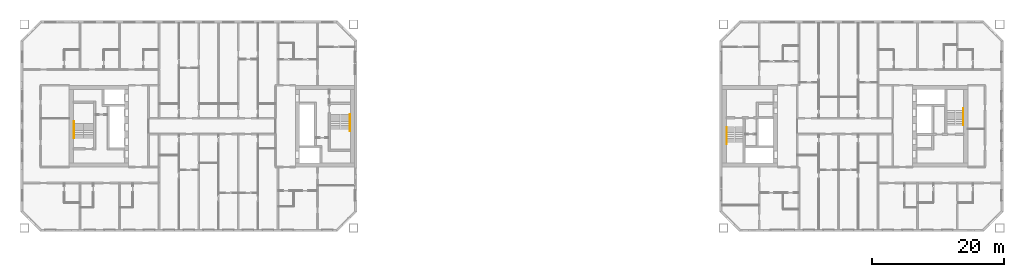
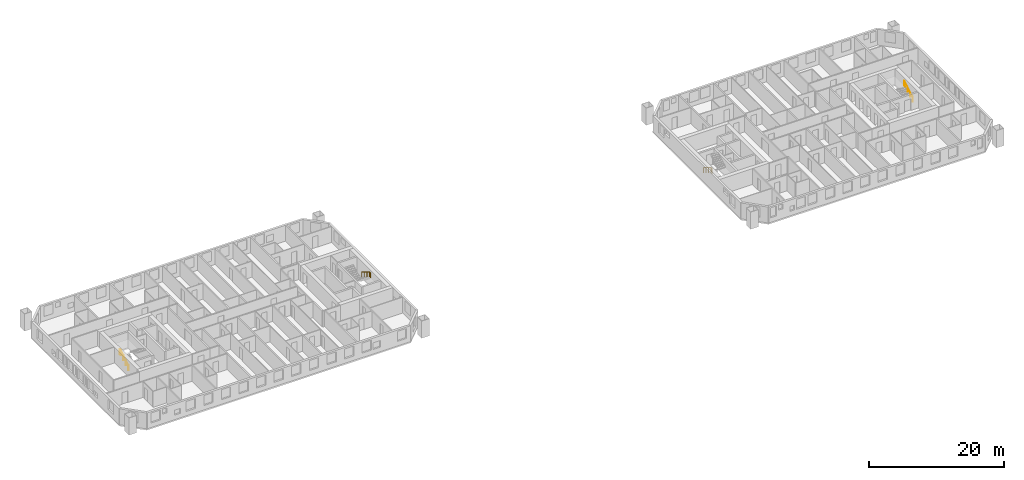
# One storey, part 17 of 17: 4 railings.
"""IFC4 building model written with IfcOpenShell, lengths in metres."""

from ifc_helpers import new_model, si_unit, direction, frame, origin, origin_2d, place, context, subcontext, project, spatial, circle, extrude, material, type_object, element, save


model = new_model("IFC4")

# Units and contexts
model_context = context("Model", 3, precision=1e-05, world=origin(), true_north=direction((0.0, 1.0)))
body_context = subcontext(model_context, "Body", "Model", "MODEL_VIEW")
ifc_project = project(units=[si_unit("LENGTHUNIT", "METRE"), si_unit("AREAUNIT", "SQUARE_METRE"), si_unit("VOLUMEUNIT", "CUBIC_METRE"), si_unit("PLANEANGLEUNIT", "RADIAN"), si_unit("MASSUNIT", "GRAM", prefix="KILO")], contexts=[model_context])

# Site, building, storey
site_placement = place(None, origin())
site = spatial("IfcSite", under=ifc_project, at=site_placement, CompositionType="ELEMENT")
building_placement = place(site_placement, origin())
building = spatial("IfcBuilding", under=site, at=building_placement, Name="Tuart Gate Housing", CompositionType="ELEMENT")
storey_placement = place(building_placement, frame((0.0, 0.0, 99.5)))
storey = spatial("IfcBuildingStorey", under=building, at=storey_placement, Name="L27", CompositionType="ELEMENT", Elevation=99.5)

# Railings
ifc_material = material(Name="Stainless steel", Category="steel")
railing_type = type_object("IfcRailingType", Name="Stair handrail 900", PredefinedType="HANDRAIL", material=ifc_material)
railing_1_placement = place(storey_placement, frame((74.929931640625, 71.800048828125, 0.172119140625)))
element("IfcRailing", 1, at=railing_1_placement, inside=storey, type_object=railing_type, Name="Stair handrail SA1.1", PredefinedType="HANDRAIL", context=body_context, shape_type="SweptSolid", body=[
    extrude(circle(Radius=0.02392578125, at=origin_2d()), frame((0.0, 0.0, 0.8759765625), z_axis=(0.0, -0.851747552033, 0.523952390591), x_axis=(1.0, 0.0, 0.0)), (0.0, 0.0, 1.0), 2.6298828125),
    extrude(circle(Radius=0.02392578125, at=origin_2d()), frame((0.0, -2.239990234375, 2.25390625), z_axis=(0.0, -1.0, 0.0), x_axis=(1.0, 0.0, 0.0)), (0.0, 0.0, 1.0), 0.300048828125),
    extrude(circle(Radius=0.02099609375, at=origin_2d()), origin(), (0.0, 0.0, 1.0), 0.851806640625),
    extrude(circle(Radius=0.02099609375, at=origin_2d()), frame((0.0, -0.74658203125, 0.459228515625)), (0.0, 0.0, 1.0), 0.851806640625),
    extrude(circle(Radius=0.02099609375, at=origin_2d()), frame((0.0, -1.493408203125, 0.918701171875)), (0.0, 0.0, 1.0), 0.851806640625),
    extrude(circle(Radius=0.02099609375, at=origin_2d()), frame((0.0, -2.239990234375, 1.3779296875)), (0.0, 0.0, 1.0), 0.851806640625),
    extrude(circle(Radius=0.02099609375, at=origin_2d()), frame((0.0, -2.5400390625, 1.3779296875)), (0.0, 0.0, 1.0), 0.851806640625),
])
railing_2_placement = place(storey_placement, frame((33.070068359375, 68.199951171875, 0.172119140625)))
element("IfcRailing", 2, at=railing_2_placement, inside=storey, type_object=railing_type, Name="Stair handrail SA2.1", PredefinedType="HANDRAIL", context=body_context, shape_type="SweptSolid", body=[
    extrude(circle(Radius=0.02392578125, at=origin_2d()), frame((0.0, 0.0, 0.8759765625), z_axis=(0.0, 0.851747552033, 0.523952390591), x_axis=(-1.0, 0.0, 0.0)), (0.0, 0.0, 1.0), 2.6298828125),
    extrude(circle(Radius=0.02392578125, at=origin_2d()), frame((0.0, 2.239990234375, 2.25390625), z_axis=(0.0, 1.0, 0.0), x_axis=(-1.0, 0.0, 0.0)), (0.0, 0.0, 1.0), 0.300048828125),
    extrude(circle(Radius=0.02099609375, at=origin_2d()), origin(), (0.0, 0.0, 1.0), 0.851806640625),
    extrude(circle(Radius=0.02099609375, at=origin_2d()), frame((0.0, 0.74658203125, 0.459228515625)), (0.0, 0.0, 1.0), 0.851806640625),
    extrude(circle(Radius=0.02099609375, at=origin_2d()), frame((0.0, 1.493408203125, 0.918701171875)), (0.0, 0.0, 1.0), 0.851806640625),
    extrude(circle(Radius=0.02099609375, at=origin_2d()), frame((0.0, 2.239990234375, 1.3779296875)), (0.0, 0.0, 1.0), 0.851806640625),
    extrude(circle(Radius=0.02099609375, at=origin_2d()), frame((0.0, 2.5400390625, 1.3779296875)), (0.0, 0.0, 1.0), 0.851806640625),
])
railing_3_placement = place(storey_placement, frame((132.070068359375, 69.85009765625, 0.172119140625)))
element("IfcRailing", 3, at=railing_3_placement, inside=storey, type_object=railing_type, Name="Stair handrail SB1.1", PredefinedType="HANDRAIL", context=body_context, shape_type="SweptSolid", body=[
    extrude(circle(Radius=0.02392578125, at=origin_2d()), frame((0.0, 0.0, 0.8759765625), z_axis=(0.0, -0.851747552033, 0.523952390591), x_axis=(1.0, 0.0, 0.0)), (0.0, 0.0, 1.0), 2.6298828125),
    extrude(circle(Radius=0.02392578125, at=origin_2d()), frame((0.0, -2.239990234375, 2.25390625), z_axis=(0.0, -1.0, 0.0), x_axis=(1.0, 0.0, 0.0)), (0.0, 0.0, 1.0), 0.300048828125),
    extrude(circle(Radius=0.02099609375, at=origin_2d()), origin(), (0.0, 0.0, 1.0), 0.851806640625),
    extrude(circle(Radius=0.02099609375, at=origin_2d()), frame((0.0, -0.74658203125, 0.459228515625)), (0.0, 0.0, 1.0), 0.851806640625),
    extrude(circle(Radius=0.02099609375, at=origin_2d()), frame((0.0, -1.493408203125, 0.918701171875)), (0.0, 0.0, 1.0), 0.851806640625),
    extrude(circle(Radius=0.02099609375, at=origin_2d()), frame((0.0, -2.239990234375, 1.3779296875)), (0.0, 0.0, 1.0), 0.851806640625),
    extrude(circle(Radius=0.02099609375, at=origin_2d()), frame((0.0, -2.5400390625, 1.3779296875)), (0.0, 0.0, 1.0), 0.851806640625),
])
railing_4_placement = place(storey_placement, frame((167.929931640625, 70.14990234375, 0.172119140625)))
element("IfcRailing", 4, at=railing_4_placement, inside=storey, type_object=railing_type, Name="Stair handrail SB2.1", PredefinedType="HANDRAIL", context=body_context, shape_type="SweptSolid", body=[
    extrude(circle(Radius=0.02392578125, at=origin_2d()), frame((0.0, 0.0, 0.8759765625), z_axis=(0.0, 0.851747552033, 0.523952390591), x_axis=(-1.0, 0.0, 0.0)), (0.0, 0.0, 1.0), 2.6298828125),
    extrude(circle(Radius=0.02392578125, at=origin_2d()), frame((0.0, 2.239990234375, 2.25390625), z_axis=(0.0, 1.0, 0.0), x_axis=(-1.0, 0.0, 0.0)), (0.0, 0.0, 1.0), 0.300048828125),
    extrude(circle(Radius=0.02099609375, at=origin_2d()), origin(), (0.0, 0.0, 1.0), 0.851806640625),
    extrude(circle(Radius=0.02099609375, at=origin_2d()), frame((0.0, 0.74658203125, 0.459228515625)), (0.0, 0.0, 1.0), 0.851806640625),
    extrude(circle(Radius=0.02099609375, at=origin_2d()), frame((0.0, 1.493408203125, 0.918701171875)), (0.0, 0.0, 1.0), 0.851806640625),
    extrude(circle(Radius=0.02099609375, at=origin_2d()), frame((0.0, 2.239990234375, 1.3779296875)), (0.0, 0.0, 1.0), 0.851806640625),
    extrude(circle(Radius=0.02099609375, at=origin_2d()), frame((0.0, 2.5400390625, 1.3779296875)), (0.0, 0.0, 1.0), 0.851806640625),
])

save(model, "model.ifc")
